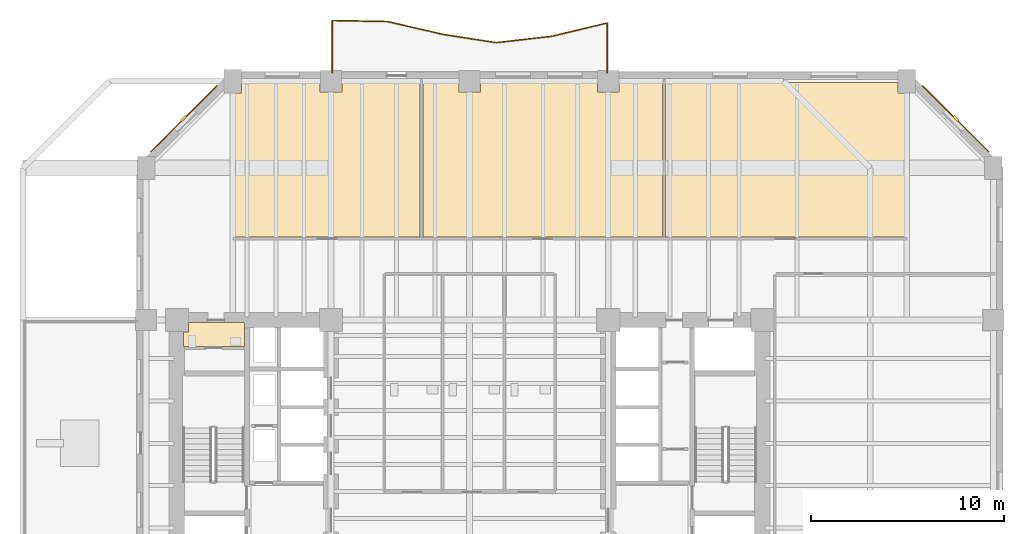
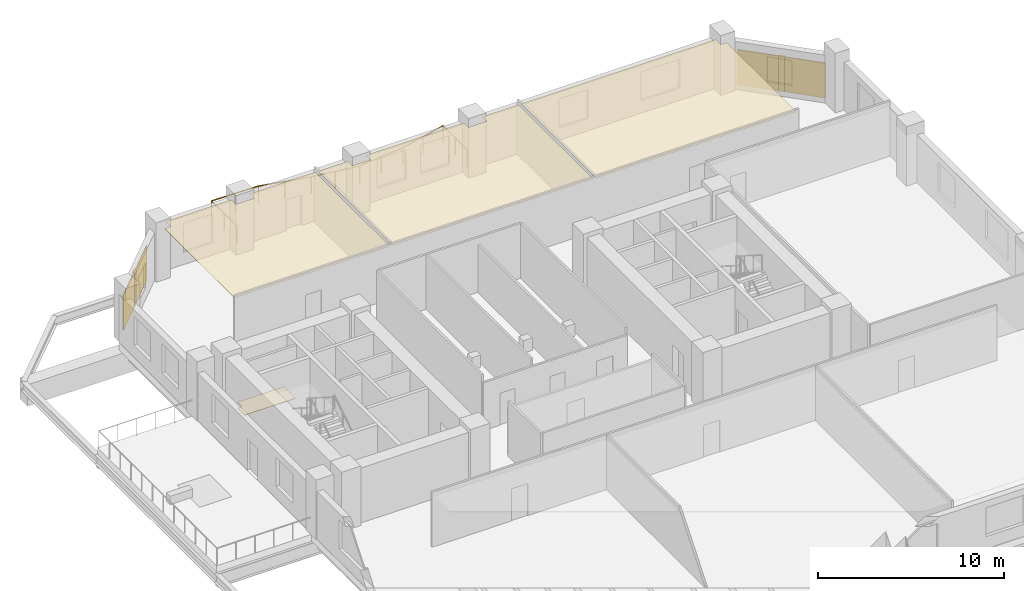
# One storey, part 10 of 11: 6 coverings, 2 shading devices, 1 railing.
"""IFC4 building model written with IfcOpenShell, lengths in metres."""

import ifcopenshell
import ifcopenshell.guid

model = None  # the IFC model being written
_history = None  # IfcOwnerHistory: only IFC2X3 demands one
_inside = {}  # id of a spatial element -> (the spatial element, [elements in it])
_under = {}  # id of a project, library or spatial element -> (it, [spatial elements below it])
_declared = {}  # id of a project -> (the project, [libraries it declares])
_typed = {}  # id of a type object -> (the type object, [elements of that type])
_made_of = {}  # id of a material, layer set ... -> (it, [elements and type objects made of it])


def new_model(schema):
    """Start an empty IFC model of exactly this schema.

    Asked for "IFC4X3", IfcOpenShell would pick the latest addendum, in which some entities
    have other attributes; the version numbers below select the first issue.
    IFC2X3 requires an IfcOwnerHistory on every rooted entity: one is made here for all.
    """
    global model, _history
    if schema == "IFC4X3":
        model = ifcopenshell.file(schema_version=(4, 3, 0, 0))
    else:
        model = ifcopenshell.file(schema=schema)
    _inside.clear()
    _under.clear()
    _declared.clear()
    _typed.clear()
    _made_of.clear()
    _history = None
    if model.schema == "IFC2X3":
        org = make("IfcOrganization", Name="unknown")
        user = make(
            "IfcPersonAndOrganization",
            ThePerson=make("IfcPerson", FamilyName="unknown"),
            TheOrganization=org,
        )
        app = make(
            "IfcApplication",
            ApplicationDeveloper=org,
            Version="unknown",
            ApplicationFullName="unknown",
            ApplicationIdentifier="unknown",
        )
        _history = make(
            "IfcOwnerHistory",
            OwningUser=user,
            OwningApplication=app,
            ChangeAction="ADDED",
            CreationDate=0,
        )
    return model


def make(cls, **values):
    """One entity of the class cls with the attributes given. An attribute that is None is left unset."""
    return model.create_entity(
        cls, **{name: value for name, value in values.items() if value is not None}
    )


def rooted(cls, **values):
    """An entity with a GlobalId (a new one), such as an element, a storey or a relation."""
    return make(cls, GlobalId=ifcopenshell.guid.new(), OwnerHistory=_history, **values)


def si_unit(unit_type, name, prefix=None):
    """IfcSIUnit, for example si_unit("LENGTHUNIT", "METRE", prefix="MILLI")."""
    return make("IfcSIUnit", UnitType=unit_type, Prefix=prefix, Name=name)


def assignment(units):
    """IfcUnitAssignment: the units of a project."""
    return None if units is None else make("IfcUnitAssignment", Units=units)


def point(xyz):
    """IfcCartesianPoint."""
    return None if xyz is None else make("IfcCartesianPoint", Coordinates=xyz)


def direction(xyz):
    """IfcDirection."""
    return None if xyz is None else make("IfcDirection", DirectionRatios=xyz)


def frame(location, z_axis=None, x_axis=None):
    """IfcAxis2Placement3D, a coordinate frame: its origin and axes. An axis left out is left unset."""
    return make(
        "IfcAxis2Placement3D",
        Location=point(location),
        Axis=direction(z_axis),
        RefDirection=direction(x_axis),
    )


def frame_2d(location, x_axis=None):
    """IfcAxis2Placement2D, a coordinate frame in the plane: its origin and x axis."""
    return make(
        "IfcAxis2Placement2D", Location=point(location), RefDirection=direction(x_axis)
    )


def origin():
    """The frame at (0, 0, 0) with its axes left unset."""
    return frame((0.0, 0.0, 0.0))


def origin_2d():
    """The frame at (0, 0) in the plane with its x axis left unset."""
    return frame_2d((0.0, 0.0))


def place(relative_to, where):
    """IfcLocalPlacement: puts the frame where relative to a parent placement (None: the world)."""
    return make(
        "IfcLocalPlacement", PlacementRelTo=relative_to, RelativePlacement=where
    )


def context(
    kind, dimensions, precision=None, world=None, true_north=None, identifier=None
):
    """IfcGeometricRepresentationContext, for example the 3D "Model" context."""
    return make(
        "IfcGeometricRepresentationContext",
        ContextIdentifier=identifier,
        ContextType=kind,
        CoordinateSpaceDimension=dimensions,
        Precision=precision,
        WorldCoordinateSystem=world,
        TrueNorth=true_north,
    )


def subcontext(parent, identifier, kind, view, scale=None):
    """IfcGeometricRepresentationSubContext, for example "Body" below "Model"."""
    return make(
        "IfcGeometricRepresentationSubContext",
        ContextIdentifier=identifier,
        ContextType=kind,
        ParentContext=parent,
        TargetScale=scale,
        TargetView=view,
    )


def project(units=None, contexts=None):
    """IfcProject with its units and contexts."""
    return rooted(
        "IfcProject",
        Name="project",
        RepresentationContexts=contexts,
        UnitsInContext=assignment(units),
    )


def spatial(cls, under=None, at=None, **own):
    """A site, building, storey or space (cls), placed at a placement, below another one or the project."""
    s = rooted(cls, ObjectPlacement=at, **own)
    if under is not None:
        _under.setdefault(under.id(), (under, []))[1].append(s)
    return s


def polyline(points):
    """IfcPolyline through the points."""
    return make("IfcPolyline", Points=[point(p) for p in points])


def profile(cls, at=None, kind="AREA", **sizes):
    """A parametric profile (cls). Its sizes go by their IFC names, for example OverallWidth=200.0."""
    return make(cls, ProfileType=kind, Position=at, **sizes)


def rectangle(**sizes):
    """IfcRectangleProfileDef."""
    return profile("IfcRectangleProfileDef", **sizes)


def circle(**sizes):
    """IfcCircleProfileDef."""
    return profile("IfcCircleProfileDef", **sizes)


def outline(outer, holes=None, kind="AREA"):
    """IfcArbitraryClosedProfileDef: a profile drawn as a closed curve; with holes, ...WithVoids."""
    if holes is None:
        return make("IfcArbitraryClosedProfileDef", ProfileType=kind, OuterCurve=outer)
    return make(
        "IfcArbitraryProfileDefWithVoids",
        ProfileType=kind,
        OuterCurve=outer,
        InnerCurves=holes,
    )


def extrude(swept, where, along, depth):
    """IfcExtrudedAreaSolid: the profile swept, set in the frame where, extruded along a direction by depth."""
    return make(
        "IfcExtrudedAreaSolid",
        SweptArea=swept,
        Position=where,
        ExtrudedDirection=direction(along),
        Depth=depth,
    )


def shape(context_of_items, identifier, shape_type, items):
    """IfcShapeRepresentation: the items that make up one representation, for example the "Body"."""
    return make(
        "IfcShapeRepresentation",
        ContextOfItems=context_of_items,
        RepresentationIdentifier=identifier,
        RepresentationType=shape_type,
        Items=items,
    )


def material(Name=None, Category=None):
    """IfcMaterial."""
    return make("IfcMaterial", Name=Name, Category=Category)


def layer(
    of_material, thickness, ventilated=None, Name=None, Category=None, Priority=None
):
    """IfcMaterialLayer: one layer of a wall or slab, of a material (None: an air gap)."""
    return make(
        "IfcMaterialLayer",
        Material=of_material,
        LayerThickness=thickness,
        IsVentilated=ventilated,
        Name=Name,
        Category=Category,
        Priority=Priority,
    )


def layer_set(layers, Name=None):
    """IfcMaterialLayerSet."""
    return make("IfcMaterialLayerSet", MaterialLayers=layers, LayerSetName=Name)


def made_of(thing, what):
    """Note that an element or type object is made of a material, layer set ...; save() writes the relation."""
    if what is not None:
        _made_of.setdefault(what.id(), (what, []))[1].append(thing)
    return thing


def type_object(cls, material=None, **own):
    """A type object (cls), such as IfcWallType, which elements share."""
    return made_of(rooted(cls, **own), material)


def element(
    cls,
    number,
    at=None,
    inside=None,
    cuts=None,
    type_object=None,
    material=None,
    context=None,
    identifier="Body",
    shape_type=None,
    held_by="IfcProductDefinitionShape",
    body=None,
    shapes=None,
    **own,
):
    """One element of the class cls, such as IfcWall. Its Tag is "e" and its number.

    at: its placement. inside: the storey or other place that contains it. cuts: it is an
    opening in that element (IfcRelVoidsElement). A single representation is given by context,
    identifier, shape_type and body (its items); several are given by shapes. held_by: the class
    of the entity that holds the representations. save() writes the other relations.
    """
    e = rooted(cls, Tag="e%d" % number, ObjectPlacement=at, **own)
    if body is not None:
        shapes = [shape(context, identifier, shape_type, body)]
    if shapes is not None:
        e.Representation = make(held_by, Representations=shapes)
    if inside is not None:
        _inside.setdefault(inside.id(), (inside, []))[1].append(e)
    if cuts is not None:
        rooted(
            "IfcRelVoidsElement", RelatingBuildingElement=cuts, RelatedOpeningElement=e
        )
    if type_object is not None:
        _typed.setdefault(type_object.id(), (type_object, []))[1].append(e)
    return made_of(e, material)


def aggregate(whole, parts):
    """IfcRelAggregates: a whole, such as a stair, and the parts it consists of."""
    return rooted("IfcRelAggregates", RelatingObject=whole, RelatedObjects=parts)


def save(model, path):
    """Write the relations noted so far, then the file.

    IfcRelAggregates (storeys below a building ...), IfcRelContainedInSpatialStructure (elements
    in a storey), IfcRelDefinesByType, IfcRelAssociatesMaterial and IfcRelDeclares: one each for
    every whole, place, type object, material and project.
    """
    for whole, parts in _under.values():
        aggregate(whole, parts)
    for where, things in _inside.values():
        rooted(
            "IfcRelContainedInSpatialStructure",
            RelatedElements=things,
            RelatingStructure=where,
        )
    for kind, things in _typed.values():
        rooted("IfcRelDefinesByType", RelatedObjects=things, RelatingType=kind)
    for what, things in _made_of.values():
        rooted("IfcRelAssociatesMaterial", RelatedObjects=things, RelatingMaterial=what)
    for by, libraries in _declared.values():
        rooted("IfcRelDeclares", RelatingContext=by, RelatedDefinitions=libraries)
    model.write(path)


model = new_model("IFC4")

# Units and contexts
model_context = context("Model", 3, precision=1e-05, world=origin(), true_north=direction((0.0, 1.0)))
body_context = subcontext(model_context, "Body", "Model", "MODEL_VIEW")
ifc_project = project(units=[si_unit("LENGTHUNIT", "METRE"), si_unit("AREAUNIT", "SQUARE_METRE"), si_unit("VOLUMEUNIT", "CUBIC_METRE"), si_unit("PLANEANGLEUNIT", "RADIAN"), si_unit("MASSUNIT", "GRAM", prefix="KILO")], contexts=[model_context])

# Site, building, storey
site_placement = place(None, origin())
site = spatial("IfcSite", under=ifc_project, at=site_placement, CompositionType="ELEMENT")
building_placement = place(site_placement, origin())
building = spatial("IfcBuilding", under=site, at=building_placement, Name="Kranthara Brick Stack", CompositionType="ELEMENT")
storey_placement = place(building_placement, frame((0.0, 0.0, 47.699951171875)))
storey = spatial("IfcBuildingStorey", under=building, at=storey_placement, Name="L11", CompositionType="ELEMENT", Elevation=47.699951171875)

# Coverings
ifc_material_1 = material(Name="Perforated mineral-fibre acoustic ceiling tile", Category="other")
ifc_layer_1 = layer(ifc_material_1, 0.02490234375)
ifc_layer_set_1 = layer_set([ifc_layer_1], Name="Perforated mineral-fibre acoustic ceiling tile")
covering_type_1 = type_object("IfcCoveringType", Name="COV-CEIL-ACOUSTIC", PredefinedType="CEILING", material=ifc_layer_set_1)
covering_1_placement = place(storey_placement, frame((0.0, 0.0, 3.330078125)))
element("IfcCovering", 1, at=covering_1_placement, inside=storey, type_object=covering_type_1, Name="L11 L11 Open Plan Workspace 1 Acoustic Ceiling", PredefinedType="CEILING", context=body_context, shape_type="SweptSolid", body=[
    extrude(outline(polyline([(25.419921875, 37.919921875), (15.780029296875, 37.919921875), (15.780029296875, 45.389892578125), (16.159912109375, 45.389892578125), (16.159912109375, 45.929931640625), (20.239990234375, 45.929931640625), (20.239990234375, 45.43994140625), (21.360107421875, 45.43994140625), (21.360107421875, 45.929931640625), (25.419921875, 45.929931640625), (25.419921875, 37.919921875)])), origin(), (0.0, 0.0, 1.0), 0.02490234375),
])
covering_2_placement = place(storey_placement, frame((0.0, 0.0, 3.330078125)))
element("IfcCovering", 2, at=covering_2_placement, inside=storey, type_object=covering_type_1, Name="L11 L11 Collaboration Lounge 2 Acoustic Ceiling", PredefinedType="CEILING", context=body_context, shape_type="SweptSolid", body=[
    extrude(outline(polyline([(38.02001953125, 37.919921875), (25.580078125, 37.919921875), (25.580078125, 45.929931640625), (27.43994140625, 45.929931640625), (27.43994140625, 45.43994140625), (28.56005859375, 45.43994140625), (28.56005859375, 45.929931640625), (34.639892578125, 45.929931640625), (34.639892578125, 45.43994140625), (35.760009765625, 45.43994140625), (35.760009765625, 45.929931640625), (38.02001953125, 45.929931640625), (38.02001953125, 37.919921875)])), origin(), (0.0, 0.0, 1.0), 0.02490234375),
])
covering_3_placement = place(storey_placement, frame((0.0, 0.0, 3.330078125)))
element("IfcCovering", 3, at=covering_3_placement, inside=storey, type_object=covering_type_1, Name="L11 L11 Client Briefing Suite 3 Acoustic Ceiling", PredefinedType="CEILING", context=body_context, shape_type="SweptSolid", body=[
    extrude(outline(polyline([(50.6201171875, 37.919921875), (38.179931640625, 37.919921875), (38.179931640625, 45.929931640625), (50.239990234375, 45.929931640625), (50.239990234375, 45.389892578125), (50.6201171875, 45.389892578125), (50.6201171875, 37.919921875)])), origin(), (0.0, 0.0, 1.0), 0.02490234375),
])
ifc_material_2 = material(Name="Warm buff kiln-fired brick slip rainscreen", Category="masonry")
ifc_layer_2 = layer(ifc_material_2, 0.044921875)
ifc_layer_set_2 = layer_set([ifc_layer_2], Name="Warm buff kiln-fired brick slip rainscreen")
covering_type_2 = type_object("IfcCoveringType", Name="COV-CLAD-BRICK", PredefinedType="CLADDING", material=ifc_layer_set_2)
for number, where, z_axis, x_axis, name in (
    (4, (13.156494140625, 44.04345703125, 0.0498046875), (0.0, 0.0, 1.0), (0.707106781187, 0.707106781187, 0.0), "L11 Chamfer Brick Rainscreen Cladding NW"),
    (5, (53.243408203125, 44.04345703125, 0.0498046875), (0.0, 0.0, 1.0), (0.707106781187, -0.707106781187, 0.0), "L11 Chamfer Brick Rainscreen Cladding NE"),
):
    element("IfcCovering", number, at=place(storey_placement, frame(where, z_axis=z_axis, x_axis=x_axis)), inside=storey, type_object=covering_type_2, Name=name, PredefinedType="CLADDING", context=body_context, shape_type="SweptSolid", body=[
        extrude(rectangle(XDim=4.876953125, YDim=0.044921875, at=origin_2d()), origin(), (0.0, 0.0, 1.0), 2.300048828125),
    ])
ifc_material_3 = material(Name="Honed terrazzo and porcelain floor finish", Category="stone")
ifc_layer_3 = layer(ifc_material_3, 0.030029296875)
ifc_layer_set_3 = layer_set([ifc_layer_3], Name="Honed terrazzo and porcelain floor finish")
covering_type_3 = type_object("IfcCoveringType", Name="COV-FLOR-STONE", PredefinedType="FLOORING", material=ifc_layer_set_3)
covering_4_placement = place(storey_placement, origin())
element("IfcCovering", 6, at=covering_4_placement, inside=storey, type_object=covering_type_3, Name="L11 Wet Room Porcelain Flooring", PredefinedType="FLOORING", context=body_context, shape_type="SweptSolid", body=[
    extrude(outline(polyline([(16.300048828125, 33.47998046875), (16.300048828125, 32.22998046875), (13.14990234375, 32.22998046875), (13.14990234375, 32.989990234375), (13.409912109375, 32.989990234375), (13.409912109375, 33.47998046875), (16.300048828125, 33.47998046875)])), origin(), (0.0, 0.0, 1.0), 0.030029296875),
])

# Railing
ifc_material_4 = material(Name="Bronze anodised aluminium and laminated glass balustrade", Category="aluminium")
railing_type = type_object("IfcRailingType", Name="RL-BALC-1120", PredefinedType="BALUSTRADE", material=ifc_material_4)
railing_placement = place(storey_placement, frame((20.860107421875, 46.43994140625, 0.0)))
element("IfcRailing", 7, at=railing_placement, inside=storey, type_object=railing_type, Name="L11 North Rippling Balcony Balustrade", PredefinedType="BALUSTRADE", context=body_context, shape_type="SweptSolid", body=[
    extrude(circle(Radius=0.02392578125, at=origin_2d()), frame((0.0, 0.0, 1.09619140625), z_axis=(-0.000269493343, 0.999999963687, 0.0), x_axis=(-0.999999963687, -0.000269493343, 0.0)), (0.0, 0.0, 1.0), 2.7177734375),
    extrude(circle(Radius=0.02392578125, at=origin_2d()), frame((-0.000732421875, 2.7177734375, 1.09619140625), z_axis=(0.999818043365, -0.019075643158, 0.0), x_axis=(0.019075643158, 0.999818043365, 0.0)), (0.0, 0.0, 1.0), 2.879638671875),
    extrude(circle(Radius=0.02392578125, at=origin_2d()), frame((2.87841796875, 2.662841796875, 1.09619140625), z_axis=(0.974216925629, -0.225613345835, 0.0), x_axis=(0.225613345835, 0.974216925629, 0.0)), (0.0, 0.0, 1.0), 2.956298828125),
    extrude(circle(Radius=0.02392578125, at=origin_2d()), frame((5.758544921875, 1.995849609375, 1.09619140625), z_axis=(0.988230892392, -0.152969615681, 0.0), x_axis=(0.152969615681, 0.988230892392, 0.0)), (0.0, 0.0, 1.0), 2.794677734375),
    extrude(circle(Radius=0.02392578125, at=origin_2d()), frame((8.520263671875, 1.568359375, 1.09619140625), z_axis=(0.993551664215, 0.113380291652, 0.0), x_axis=(-0.113380291652, 0.993551664215, 0.0)), (0.0, 0.0, 1.0), 2.8984375),
    extrude(circle(Radius=0.02392578125, at=origin_2d()), frame((11.39990234375, 1.89697265625, 1.09619140625), z_axis=(0.972397027004, 0.233332427822, 0.0), x_axis=(-0.233332427822, 0.972397027004, 0.0)), (0.0, 0.0, 1.0), 2.962158203125),
    extrude(circle(Radius=0.02392578125, at=origin_2d()), frame((14.2802734375, 2.588134765625, 1.09619140625), z_axis=(-0.000188661444, -0.999999982203, 0.0), x_axis=(0.999999982203, -0.000188661444, 0.0)), (0.0, 0.0, 1.0), 2.588134765625),
    extrude(circle(Radius=0.02099609375, at=origin_2d()), origin(), (0.0, 0.0, 1.0), 1.072021484375),
    extrude(circle(Radius=0.02099609375, at=origin_2d()), frame((-0.00048828125, 1.35888671875, 0.0)), (0.0, 0.0, 1.0), 1.072021484375),
    extrude(circle(Radius=0.02099609375, at=origin_2d()), frame((-0.000732421875, 2.7177734375, 0.0)), (0.0, 0.0, 1.0), 1.072021484375),
    extrude(circle(Radius=0.02099609375, at=origin_2d()), frame((1.43896484375, 2.6904296875, 0.0)), (0.0, 0.0, 1.0), 1.072021484375),
    extrude(circle(Radius=0.02099609375, at=origin_2d()), frame((2.87841796875, 2.662841796875, 0.0)), (0.0, 0.0, 1.0), 1.072021484375),
    extrude(circle(Radius=0.02099609375, at=origin_2d()), frame((4.318359375, 2.329345703125, 0.0)), (0.0, 0.0, 1.0), 1.072021484375),
    extrude(circle(Radius=0.02099609375, at=origin_2d()), frame((5.758544921875, 1.995849609375, 0.0)), (0.0, 0.0, 1.0), 1.072021484375),
    extrude(circle(Radius=0.02099609375, at=origin_2d()), frame((7.139404296875, 1.7822265625, 0.0)), (0.0, 0.0, 1.0), 1.072021484375),
    extrude(circle(Radius=0.02099609375, at=origin_2d()), frame((8.520263671875, 1.568359375, 0.0)), (0.0, 0.0, 1.0), 1.072021484375),
    extrude(circle(Radius=0.02099609375, at=origin_2d()), frame((9.9599609375, 1.732666015625, 0.0)), (0.0, 0.0, 1.0), 1.072021484375),
    extrude(circle(Radius=0.02099609375, at=origin_2d()), frame((11.39990234375, 1.89697265625, 0.0)), (0.0, 0.0, 1.0), 1.072021484375),
    extrude(circle(Radius=0.02099609375, at=origin_2d()), frame((12.840087890625, 2.24267578125, 0.0)), (0.0, 0.0, 1.0), 1.072021484375),
    extrude(circle(Radius=0.02099609375, at=origin_2d()), frame((14.2802734375, 2.588134765625, 0.0)), (0.0, 0.0, 1.0), 1.072021484375),
    extrude(circle(Radius=0.02099609375, at=origin_2d()), frame((14.280029296875, 1.2939453125, 0.0)), (0.0, 0.0, 1.0), 1.072021484375),
    extrude(circle(Radius=0.02099609375, at=origin_2d()), frame((14.27978515625, 0.0, 0.0)), (0.0, 0.0, 1.0), 1.072021484375),
])

# Shading devices
ifc_material_5 = material(Name="Kiln-fired terracotta aerodynamic wind fin", Category="masonry")
shading_device_type = type_object("IfcShadingDeviceType", Name="SHD-BAFFLE-CORNER", PredefinedType="SHUTTER", material=ifc_material_5)
for number, where, z_axis, x_axis, name in (
    (8, (13.13525390625, 44.064697265625, 0.0498046875), (0.0, 0.0, 1.0), (0.707106781187, 0.707106781187, 0.0), "L11 Chamfer Wind-Baffle Fin NW"),
    (9, (53.2646484375, 44.064697265625, 0.0498046875), (0.0, 0.0, 1.0), (0.707106781187, -0.707106781187, 0.0), "L11 Chamfer Wind-Baffle Fin NE"),
):
    element("IfcShadingDevice", number, at=place(storey_placement, frame(where, z_axis=z_axis, x_axis=x_axis)), inside=storey, type_object=shading_device_type, Name=name, PredefinedType="SHUTTER", context=body_context, shape_type="SweptSolid", body=[
        extrude(rectangle(XDim=0.35009765625, YDim=0.1201171875, at=origin_2d()), origin(), (0.0, 0.0, 1.0), 2.300048828125),
    ])

save(model, "model.ifc")
